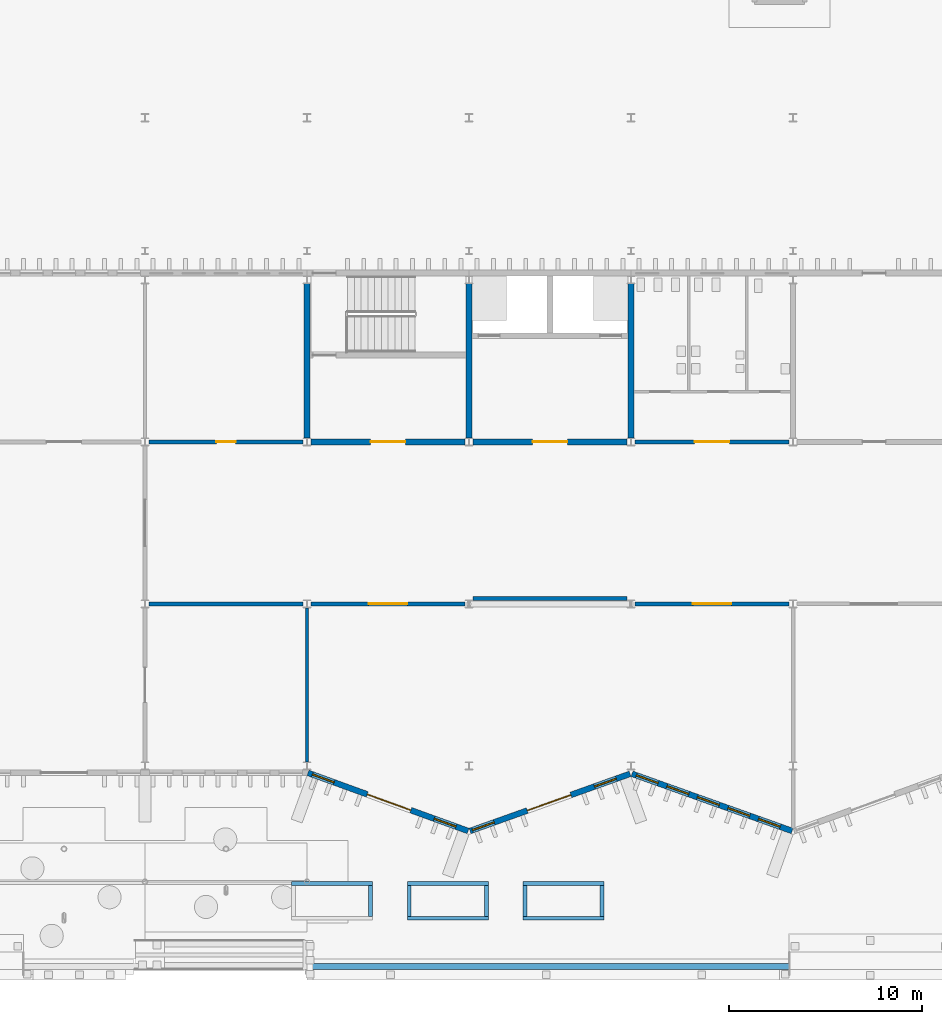
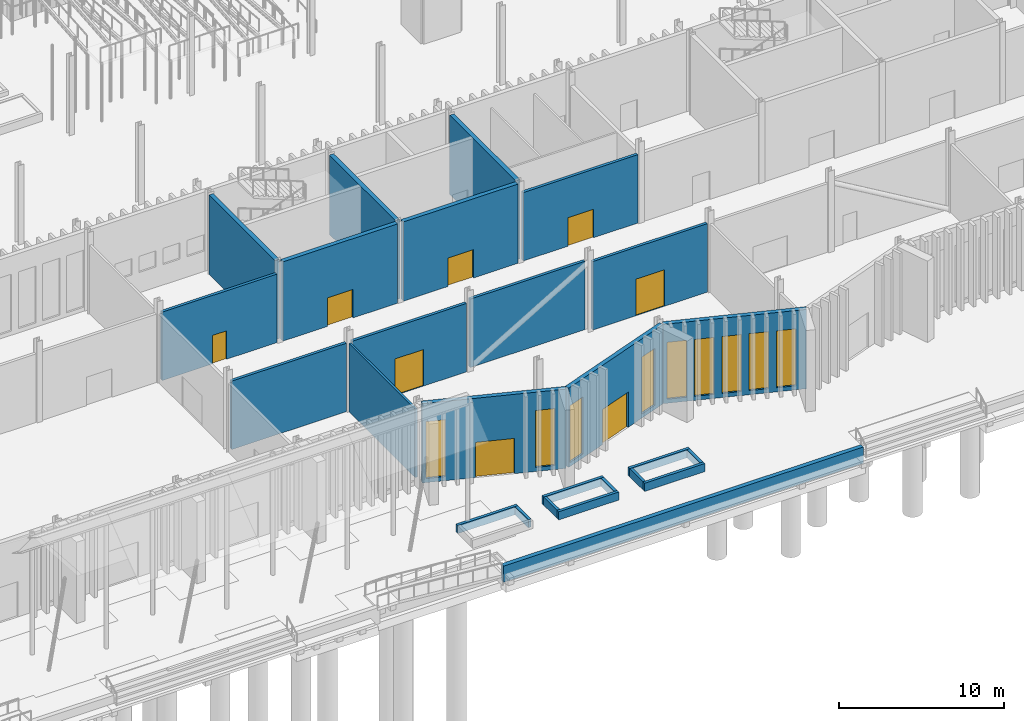
# One storey, part 58 of 108: 26 walls, 9 windows, 8 doors, 17 openings.
"""IFC4 building model written with IfcOpenShell, lengths in metres."""

import ifcopenshell
import ifcopenshell.guid

model = None  # the IFC model being written
_history = None  # IfcOwnerHistory: only IFC2X3 demands one
_inside = {}  # id of a spatial element -> (the spatial element, [elements in it])
_under = {}  # id of a project, library or spatial element -> (it, [spatial elements below it])
_declared = {}  # id of a project -> (the project, [libraries it declares])
_typed = {}  # id of a type object -> (the type object, [elements of that type])
_made_of = {}  # id of a material, layer set ... -> (it, [elements and type objects made of it])


def new_model(schema):
    """Start an empty IFC model of exactly this schema.

    Asked for "IFC4X3", IfcOpenShell would pick the latest addendum, in which some entities
    have other attributes; the version numbers below select the first issue.
    IFC2X3 requires an IfcOwnerHistory on every rooted entity: one is made here for all.
    """
    global model, _history
    if schema == "IFC4X3":
        model = ifcopenshell.file(schema_version=(4, 3, 0, 0))
    else:
        model = ifcopenshell.file(schema=schema)
    _inside.clear()
    _under.clear()
    _declared.clear()
    _typed.clear()
    _made_of.clear()
    _history = None
    if model.schema == "IFC2X3":
        org = make("IfcOrganization", Name="unknown")
        user = make(
            "IfcPersonAndOrganization",
            ThePerson=make("IfcPerson", FamilyName="unknown"),
            TheOrganization=org,
        )
        app = make(
            "IfcApplication",
            ApplicationDeveloper=org,
            Version="unknown",
            ApplicationFullName="unknown",
            ApplicationIdentifier="unknown",
        )
        _history = make(
            "IfcOwnerHistory",
            OwningUser=user,
            OwningApplication=app,
            ChangeAction="ADDED",
            CreationDate=0,
        )
    return model


def make(cls, **values):
    """One entity of the class cls with the attributes given. An attribute that is None is left unset."""
    return model.create_entity(
        cls, **{name: value for name, value in values.items() if value is not None}
    )


def rooted(cls, **values):
    """An entity with a GlobalId (a new one), such as an element, a storey or a relation."""
    return make(cls, GlobalId=ifcopenshell.guid.new(), OwnerHistory=_history, **values)


def si_unit(unit_type, name, prefix=None):
    """IfcSIUnit, for example si_unit("LENGTHUNIT", "METRE", prefix="MILLI")."""
    return make("IfcSIUnit", UnitType=unit_type, Prefix=prefix, Name=name)


def assignment(units):
    """IfcUnitAssignment: the units of a project."""
    return None if units is None else make("IfcUnitAssignment", Units=units)


def point(xyz):
    """IfcCartesianPoint."""
    return None if xyz is None else make("IfcCartesianPoint", Coordinates=xyz)


def direction(xyz):
    """IfcDirection."""
    return None if xyz is None else make("IfcDirection", DirectionRatios=xyz)


def frame(location, z_axis=None, x_axis=None):
    """IfcAxis2Placement3D, a coordinate frame: its origin and axes. An axis left out is left unset."""
    return make(
        "IfcAxis2Placement3D",
        Location=point(location),
        Axis=direction(z_axis),
        RefDirection=direction(x_axis),
    )


def frame_2d(location, x_axis=None):
    """IfcAxis2Placement2D, a coordinate frame in the plane: its origin and x axis."""
    return make(
        "IfcAxis2Placement2D", Location=point(location), RefDirection=direction(x_axis)
    )


def origin():
    """The frame at (0, 0, 0) with its axes left unset."""
    return frame((0.0, 0.0, 0.0))


def place(relative_to, where):
    """IfcLocalPlacement: puts the frame where relative to a parent placement (None: the world)."""
    return make(
        "IfcLocalPlacement", PlacementRelTo=relative_to, RelativePlacement=where
    )


def context(
    kind, dimensions, precision=None, world=None, true_north=None, identifier=None
):
    """IfcGeometricRepresentationContext, for example the 3D "Model" context."""
    return make(
        "IfcGeometricRepresentationContext",
        ContextIdentifier=identifier,
        ContextType=kind,
        CoordinateSpaceDimension=dimensions,
        Precision=precision,
        WorldCoordinateSystem=world,
        TrueNorth=true_north,
    )


def subcontext(parent, identifier, kind, view, scale=None):
    """IfcGeometricRepresentationSubContext, for example "Body" below "Model"."""
    return make(
        "IfcGeometricRepresentationSubContext",
        ContextIdentifier=identifier,
        ContextType=kind,
        ParentContext=parent,
        TargetScale=scale,
        TargetView=view,
    )


def project(units=None, contexts=None):
    """IfcProject with its units and contexts."""
    return rooted(
        "IfcProject",
        Name="project",
        RepresentationContexts=contexts,
        UnitsInContext=assignment(units),
    )


def spatial(cls, under=None, at=None, **own):
    """A site, building, storey or space (cls), placed at a placement, below another one or the project."""
    s = rooted(cls, ObjectPlacement=at, **own)
    if under is not None:
        _under.setdefault(under.id(), (under, []))[1].append(s)
    return s


def profile(cls, at=None, kind="AREA", **sizes):
    """A parametric profile (cls). Its sizes go by their IFC names, for example OverallWidth=200.0."""
    return make(cls, ProfileType=kind, Position=at, **sizes)


def rectangle(**sizes):
    """IfcRectangleProfileDef."""
    return profile("IfcRectangleProfileDef", **sizes)


def extrude(swept, where, along, depth):
    """IfcExtrudedAreaSolid: the profile swept, set in the frame where, extruded along a direction by depth."""
    return make(
        "IfcExtrudedAreaSolid",
        SweptArea=swept,
        Position=where,
        ExtrudedDirection=direction(along),
        Depth=depth,
    )


def shape(context_of_items, identifier, shape_type, items):
    """IfcShapeRepresentation: the items that make up one representation, for example the "Body"."""
    return make(
        "IfcShapeRepresentation",
        ContextOfItems=context_of_items,
        RepresentationIdentifier=identifier,
        RepresentationType=shape_type,
        Items=items,
    )


def material(Name=None, Category=None):
    """IfcMaterial."""
    return make("IfcMaterial", Name=Name, Category=Category)


def layer(
    of_material, thickness, ventilated=None, Name=None, Category=None, Priority=None
):
    """IfcMaterialLayer: one layer of a wall or slab, of a material (None: an air gap)."""
    return make(
        "IfcMaterialLayer",
        Material=of_material,
        LayerThickness=thickness,
        IsVentilated=ventilated,
        Name=Name,
        Category=Category,
        Priority=Priority,
    )


def layer_set(layers, Name=None):
    """IfcMaterialLayerSet."""
    return make("IfcMaterialLayerSet", MaterialLayers=layers, LayerSetName=Name)


def made_of(thing, what):
    """Note that an element or type object is made of a material, layer set ...; save() writes the relation."""
    if what is not None:
        _made_of.setdefault(what.id(), (what, []))[1].append(thing)
    return thing


def type_object(cls, material=None, **own):
    """A type object (cls), such as IfcWallType, which elements share."""
    return made_of(rooted(cls, **own), material)


def element(
    cls,
    number,
    at=None,
    inside=None,
    cuts=None,
    type_object=None,
    material=None,
    context=None,
    identifier="Body",
    shape_type=None,
    held_by="IfcProductDefinitionShape",
    body=None,
    shapes=None,
    **own,
):
    """One element of the class cls, such as IfcWall. Its Tag is "e" and its number.

    at: its placement. inside: the storey or other place that contains it. cuts: it is an
    opening in that element (IfcRelVoidsElement). A single representation is given by context,
    identifier, shape_type and body (its items); several are given by shapes. held_by: the class
    of the entity that holds the representations. save() writes the other relations.
    """
    e = rooted(cls, Tag="e%d" % number, ObjectPlacement=at, **own)
    if body is not None:
        shapes = [shape(context, identifier, shape_type, body)]
    if shapes is not None:
        e.Representation = make(held_by, Representations=shapes)
    if inside is not None:
        _inside.setdefault(inside.id(), (inside, []))[1].append(e)
    if cuts is not None:
        rooted(
            "IfcRelVoidsElement", RelatingBuildingElement=cuts, RelatedOpeningElement=e
        )
    if type_object is not None:
        _typed.setdefault(type_object.id(), (type_object, []))[1].append(e)
    return made_of(e, material)


def fill(opening, filler):
    """IfcRelFillsElement: the door or window that sits in an opening."""
    return rooted(
        "IfcRelFillsElement",
        RelatingOpeningElement=opening,
        RelatedBuildingElement=filler,
    )


def aggregate(whole, parts):
    """IfcRelAggregates: a whole, such as a stair, and the parts it consists of."""
    return rooted("IfcRelAggregates", RelatingObject=whole, RelatedObjects=parts)


def save(model, path):
    """Write the relations noted so far, then the file.

    IfcRelAggregates (storeys below a building ...), IfcRelContainedInSpatialStructure (elements
    in a storey), IfcRelDefinesByType, IfcRelAssociatesMaterial and IfcRelDeclares: one each for
    every whole, place, type object, material and project.
    """
    for whole, parts in _under.values():
        aggregate(whole, parts)
    for where, things in _inside.values():
        rooted(
            "IfcRelContainedInSpatialStructure",
            RelatedElements=things,
            RelatingStructure=where,
        )
    for kind, things in _typed.values():
        rooted("IfcRelDefinesByType", RelatedObjects=things, RelatingType=kind)
    for what, things in _made_of.values():
        rooted("IfcRelAssociatesMaterial", RelatedObjects=things, RelatingMaterial=what)
    for by, libraries in _declared.values():
        rooted("IfcRelDeclares", RelatingContext=by, RelatedDefinitions=libraries)
    model.write(path)


model = new_model("IFC4")

# Units and contexts
model_context = context("Model", 3, precision=1e-05, world=origin(), true_north=direction((0.0, 1.0)))
body_context = subcontext(model_context, "Body", "Model", "MODEL_VIEW")
ifc_project = project(units=[si_unit("LENGTHUNIT", "METRE"), si_unit("AREAUNIT", "SQUARE_METRE"), si_unit("VOLUMEUNIT", "CUBIC_METRE"), si_unit("PLANEANGLEUNIT", "RADIAN"), si_unit("MASSUNIT", "GRAM", prefix="KILO")], contexts=[model_context])

# Site, building, storey
site_placement = place(None, origin())
site = spatial("IfcSite", under=ifc_project, at=site_placement, CompositionType="ELEMENT")
building_placement = place(site_placement, origin())
building = spatial("IfcBuilding", under=site, at=building_placement, Name="Cresset Court Congress Hotel", CompositionType="ELEMENT")
storey_placement = place(building_placement, origin())
storey = spatial("IfcBuildingStorey", under=building, at=storey_placement, Name="L00", CompositionType="ELEMENT", Elevation=0.0)

# Walls
ifc_material_1 = material(Name="Concrete C50", Category="concrete")
ifc_layer_1 = layer(ifc_material_1, 0.300048828125)
ifc_layer_set_1 = layer_set([ifc_layer_1], Name="Core wall 300 Concrete C50")
wall_type_1 = type_object("IfcWallType", Name="Core wall 300 Concrete C50", PredefinedType="SHEAR", material=ifc_layer_set_1)
for number, where, z_axis, x_axis, name in (
    (1, (109.199951171875, 17.0, 0.0), (0.0, 0.0, 1.0), (0.0, 1.0, 0.0), "Core wall LC-B2"),
    (2, (117.60009765625, 17.0, 0.0), (0.0, 0.0, 1.0), (0.0, 1.0, 0.0), "Core wall LC-B2"),
):
    element("IfcWall", number, at=place(storey_placement, frame(where, z_axis=z_axis, x_axis=x_axis)), inside=storey, type_object=wall_type_1, Name=name, PredefinedType="SHEAR", context=body_context, shape_type="SweptSolid", body=[
        extrude(rectangle(XDim=8.0, YDim=0.300048828125, at=frame_2d((4.0, 0.0))), origin(), (0.0, 0.0, 1.0), 5.85009765625),
    ])

# Wall, opening, door
wall_1_placement = place(storey_placement, frame((109.39990234375, 16.800048828125, 0.0), z_axis=(0.0, 0.0, 1.0), x_axis=(1.0, 0.0, 0.0)))
wall_1 = element("IfcWall", 3, at=wall_1_placement, inside=storey, type_object=wall_type_1, Name="Core wall LC-B2", PredefinedType="SHEAR", context=body_context, shape_type="SweptSolid", body=[
    extrude(rectangle(XDim=8.0, YDim=0.300048828125, at=frame_2d((4.0, 0.0))), origin(), (0.0, 0.0, 1.0), 5.85009765625),
])
opening_1_placement = place(wall_1_placement, frame((3.10009765625, 0.0, 0.0)))
opening_1 = element("IfcOpeningElement", 4, at=opening_1_placement, cuts=wall_1, Name="Opening DB-00-49", PredefinedType="OPENING", context=body_context, shape_type="SweptSolid", body=[
    extrude(rectangle(XDim=1.800048828125, YDim=2.10009765625, at=frame_2d((0.89990234375, 1.050048828125))), frame((0.0, 0.159912109375, 0.0), z_axis=(0.0, -1.0, 0.0), x_axis=(1.0, 0.0, 0.0)), (0.0, 0.0, 1.0), 0.320068359375),
])
ifc_material_2 = material(Name="Timber and steel frame", Category="steel")
door_type_1 = type_object("IfcDoorType", Name="Lobby fire door FD60 double 1800x2100", OperationType="DOUBLE_DOOR_SINGLE_SWING", PredefinedType="DOOR", material=ifc_material_2)
door_1_placement = place(opening_1_placement, origin())
door_1 = element("IfcDoor", 5, at=door_1_placement, inside=storey, type_object=door_type_1, Name="Lift lobby door LC-B2", OperationType="DOUBLE_DOOR_SINGLE_SWING", OverallHeight=2.10009765625, OverallWidth=1.800048828125, PredefinedType="DOOR", context=body_context, shape_type="SweptSolid", body=[
    extrude(rectangle(XDim=1.800048828125, YDim=2.10009765625, at=frame_2d((0.89990234375, 1.050048828125))), frame((0.0, 0.02490234375, 0.0), z_axis=(0.0, -1.0, 0.0), x_axis=(1.0, 0.0, 0.0)), (0.0, 0.0, 1.0), 0.050048828125),
])
fill(opening_1, door_1)

# Wall
wall_2_placement = place(storey_placement, frame((100.800048828125, 17.0, 0.0), z_axis=(0.0, 0.0, 1.0), x_axis=(0.0, 1.0, 0.0)))
element("IfcWall", 6, at=wall_2_placement, inside=storey, type_object=wall_type_1, Name="Core wall ST-B4", PredefinedType="SHEAR", context=body_context, shape_type="SweptSolid", body=[
    extrude(rectangle(XDim=8.0, YDim=0.300048828125, at=frame_2d((4.0, 0.0))), origin(), (0.0, 0.0, 1.0), 5.85009765625),
])

# Wall, opening, door
wall_3_placement = place(storey_placement, frame((101.0, 16.800048828125, 0.0), z_axis=(0.0, 0.0, 1.0), x_axis=(1.0, 0.0, 0.0)))
wall_3 = element("IfcWall", 7, at=wall_3_placement, inside=storey, type_object=wall_type_1, Name="Core wall ST-B4", PredefinedType="SHEAR", context=body_context, shape_type="SweptSolid", body=[
    extrude(rectangle(XDim=8.0, YDim=0.300048828125, at=frame_2d((4.0, 0.0))), origin(), (0.0, 0.0, 1.0), 5.85009765625),
])
opening_2_placement = place(wall_3_placement, frame((3.10009765625, 0.0, 0.0)))
opening_2 = element("IfcOpeningElement", 8, at=opening_2_placement, cuts=wall_3, Name="Opening DB-00-62", PredefinedType="OPENING", context=body_context, shape_type="SweptSolid", body=[
    extrude(rectangle(XDim=1.800048828125, YDim=2.10009765625, at=frame_2d((0.89990234375, 1.050048828125))), frame((0.0, 0.159912109375, 0.0), z_axis=(0.0, -1.0, 0.0), x_axis=(1.0, 0.0, 0.0)), (0.0, 0.0, 1.0), 0.320068359375),
])
door_2_placement = place(opening_2_placement, origin())
door_2 = element("IfcDoor", 9, at=door_2_placement, inside=storey, type_object=door_type_1, Name="Stair lobby door ST-B4", OperationType="DOUBLE_DOOR_SINGLE_SWING", OverallHeight=2.10009765625, OverallWidth=1.800048828125, PredefinedType="DOOR", context=body_context, shape_type="SweptSolid", body=[
    extrude(rectangle(XDim=1.800048828125, YDim=2.10009765625, at=frame_2d((0.89990234375, 1.050048828125))), frame((0.0, 0.02490234375, 0.0), z_axis=(0.0, -1.0, 0.0), x_axis=(1.0, 0.0, 0.0)), (0.0, 0.0, 1.0), 0.050048828125),
])
fill(opening_2, door_2)

# Wall, openings, door, windows
ifc_material_3 = material(Name="Concrete C40", Category="concrete")
ifc_layer_2 = layer(ifc_material_3, 0.300048828125)
ifc_layer_set_2 = layer_set([ifc_layer_2], Name="External wall 300 Concrete C40")
wall_type_2 = type_object("IfcWallType", Name="External wall 300 Concrete C40", PredefinedType="SOLIDWALL", material=ifc_layer_set_2)
wall_4_placement = place(storey_placement, frame((100.851318359375, -0.35888671875, 0.0), z_axis=(0.0, 0.0, 1.0), x_axis=(0.939953187971, -0.341303390584, 0.0)))
wall_4 = element("IfcWall", 10, at=wall_4_placement, inside=storey, type_object=wall_type_2, Name="External wall", PredefinedType="SOLIDWALL", context=body_context, shape_type="SweptSolid", body=[
    extrude(rectangle(XDim=8.828369140625, YDim=0.300048828125, at=frame_2d((4.4140625, 0.0))), origin(), (0.0, 0.0, 1.0), 5.85009765625),
])
opening_3_placement = place(wall_4_placement, frame((3.268310546875, 0.0, 0.0)))
opening_3 = element("IfcOpeningElement", 11, at=opening_3_placement, cuts=wall_4, Name="Opening DB-00-06", PredefinedType="OPENING", context=body_context, shape_type="SweptSolid", body=[
    extrude(rectangle(XDim=2.39990234375, YDim=2.60009765625, at=frame_2d((1.199951171875, 1.300048828125))), frame((0.0, 0.159912109375, 0.0), z_axis=(0.0, -1.0, 0.0), x_axis=(1.0, 0.0, 0.0)), (0.0, 0.0, 1.0), 0.320068359375),
])
opening_4_placement = place(wall_4_placement, frame((0.239990234375, 0.0, 0.300048828125)))
opening_4 = element("IfcOpeningElement", 12, at=opening_4_placement, cuts=wall_4, Name="Opening NB-00-54", PredefinedType="OPENING", context=body_context, shape_type="SweptSolid", body=[
    extrude(rectangle(XDim=1.199951171875, YDim=4.199951171875, at=frame_2d((0.60009765625, 2.10009765625))), frame((0.0, 0.159912109375, 0.0), z_axis=(0.0, -1.0, 0.0), x_axis=(1.0, 0.0, 0.0)), (0.0, 0.0, 1.0), 0.320068359375),
])
opening_5_placement = place(wall_4_placement, frame((6.9599609375, 0.0, 0.300048828125)))
opening_5 = element("IfcOpeningElement", 13, at=opening_5_placement, cuts=wall_4, Name="Opening NB-00-55", PredefinedType="OPENING", context=body_context, shape_type="SweptSolid", body=[
    extrude(rectangle(XDim=1.199951171875, YDim=4.199951171875, at=frame_2d((0.60009765625, 2.10009765625))), frame((0.0, 0.159912109375, 0.0), z_axis=(0.0, -1.0, 0.0), x_axis=(1.0, 0.0, 0.0)), (0.0, 0.0, 1.0), 0.320068359375),
])
ifc_material_4 = material(Name="Aluminium frame with toughened glass", Category="aluminium")
door_type_2 = type_object("IfcDoorType", Name="Entrance door double glazed 2400x2600", OperationType="DOUBLE_DOOR_SINGLE_SWING", PredefinedType="DOOR", material=ifc_material_4)
door_3_placement = place(opening_3_placement, origin())
door_3 = element("IfcDoor", 14, at=door_3_placement, inside=storey, type_object=door_type_2, Name="Exhibition side entrance", OperationType="DOUBLE_DOOR_SINGLE_SWING", OverallHeight=2.60009765625, OverallWidth=2.39990234375, PredefinedType="DOOR", context=body_context, shape_type="SweptSolid", body=[
    extrude(rectangle(XDim=2.39990234375, YDim=2.60009765625, at=frame_2d((1.199951171875, 1.300048828125))), frame((0.0, 0.02490234375, 0.0), z_axis=(0.0, -1.0, 0.0), x_axis=(1.0, 0.0, 0.0)), (0.0, 0.0, 1.0), 0.050048828125),
])
fill(opening_3, door_3)
ifc_material_5 = material(Name="Aluminium frame with double glazing", Category="aluminium")
window_type = type_object("IfcWindowType", Name="Window 1200x4200", PartitioningType="TRIPLE_PANEL_VERTICAL", PredefinedType="WINDOW", material=ifc_material_5)
window_1_placement = place(opening_4_placement, origin())
window_1 = element("IfcWindow", 15, at=window_1_placement, inside=storey, type_object=window_type, Name="Window NB-00-54", OverallHeight=4.199951171875, OverallWidth=1.199951171875, PartitioningType="TRIPLE_PANEL_VERTICAL", PredefinedType="WINDOW", context=body_context, shape_type="SweptSolid", body=[
    extrude(rectangle(XDim=1.199951171875, YDim=4.199951171875, at=frame_2d((0.60009765625, 2.10009765625))), frame((0.0, 0.030029296875, 0.0), z_axis=(0.0, -1.0, 0.0), x_axis=(1.0, 0.0, 0.0)), (0.0, 0.0, 1.0), 0.06005859375),
])
fill(opening_4, window_1)
window_2_placement = place(opening_5_placement, origin())
window_2 = element("IfcWindow", 16, at=window_2_placement, inside=storey, type_object=window_type, Name="Window NB-00-55", OverallHeight=4.199951171875, OverallWidth=1.199951171875, PartitioningType="TRIPLE_PANEL_VERTICAL", PredefinedType="WINDOW", context=body_context, shape_type="SweptSolid", body=[
    extrude(rectangle(XDim=1.199951171875, YDim=4.199951171875, at=frame_2d((0.60009765625, 2.10009765625))), frame((0.0, 0.030029296875, 0.0), z_axis=(0.0, -1.0, 0.0), x_axis=(1.0, 0.0, 0.0)), (0.0, 0.0, 1.0), 0.06005859375),
])
fill(opening_5, window_2)

wall_5_placement = place(storey_placement, frame((109.251220703125, -3.372314453125, 0.0), z_axis=(0.0, 0.0, 1.0), x_axis=(0.941744418946, 0.336329376334, 0.0)))
wall_5 = element("IfcWall", 17, at=wall_5_placement, inside=storey, type_object=wall_type_2, Name="External wall", PredefinedType="SOLIDWALL", context=body_context, shape_type="SweptSolid", body=[
    extrude(rectangle(XDim=8.811767578125, YDim=0.300048828125, at=frame_2d((4.40576171875, 0.0))), origin(), (0.0, 0.0, 1.0), 5.85009765625),
])
opening_6_placement = place(wall_5_placement, frame((3.15185546875, 0.0, 0.0)))
opening_6 = element("IfcOpeningElement", 18, at=opening_6_placement, cuts=wall_5, Name="Opening DB-00-07", PredefinedType="OPENING", context=body_context, shape_type="SweptSolid", body=[
    extrude(rectangle(XDim=2.39990234375, YDim=2.60009765625, at=frame_2d((1.199951171875, 1.300048828125))), frame((0.0, 0.159912109375, 0.0), z_axis=(0.0, -1.0, 0.0), x_axis=(1.0, 0.0, 0.0)), (0.0, 0.0, 1.0), 0.320068359375),
])
opening_7_placement = place(wall_5_placement, frame((0.132080078125, 0.0, 0.300048828125)))
opening_7 = element("IfcOpeningElement", 19, at=opening_7_placement, cuts=wall_5, Name="Opening NB-00-56", PredefinedType="OPENING", context=body_context, shape_type="SweptSolid", body=[
    extrude(rectangle(XDim=1.199951171875, YDim=4.199951171875, at=frame_2d((0.60009765625, 2.10009765625))), frame((0.0, 0.159912109375, 0.0), z_axis=(0.0, -1.0, 0.0), x_axis=(1.0, 0.0, 0.0)), (0.0, 0.0, 1.0), 0.320068359375),
])
opening_8_placement = place(wall_5_placement, frame((6.85205078125, 0.0, 0.300048828125)))
opening_8 = element("IfcOpeningElement", 20, at=opening_8_placement, cuts=wall_5, Name="Opening NB-00-57", PredefinedType="OPENING", context=body_context, shape_type="SweptSolid", body=[
    extrude(rectangle(XDim=1.199951171875, YDim=4.199951171875, at=frame_2d((0.60009765625, 2.10009765625))), frame((0.0, 0.159912109375, 0.0), z_axis=(0.0, -1.0, 0.0), x_axis=(1.0, 0.0, 0.0)), (0.0, 0.0, 1.0), 0.320068359375),
])
door_4_placement = place(opening_6_placement, origin())
door_4 = element("IfcDoor", 21, at=door_4_placement, inside=storey, type_object=door_type_2, Name="Exhibition entrance", OperationType="DOUBLE_DOOR_SINGLE_SWING", OverallHeight=2.60009765625, OverallWidth=2.39990234375, PredefinedType="DOOR", context=body_context, shape_type="SweptSolid", body=[
    extrude(rectangle(XDim=2.39990234375, YDim=2.60009765625, at=frame_2d((1.199951171875, 1.300048828125))), frame((0.0, 0.02490234375, 0.0), z_axis=(0.0, -1.0, 0.0), x_axis=(1.0, 0.0, 0.0)), (0.0, 0.0, 1.0), 0.050048828125),
])
fill(opening_6, door_4)
window_3_placement = place(opening_7_placement, origin())
window_3 = element("IfcWindow", 22, at=window_3_placement, inside=storey, type_object=window_type, Name="Window NB-00-56", OverallHeight=4.199951171875, OverallWidth=1.199951171875, PartitioningType="TRIPLE_PANEL_VERTICAL", PredefinedType="WINDOW", context=body_context, shape_type="SweptSolid", body=[
    extrude(rectangle(XDim=1.199951171875, YDim=4.199951171875, at=frame_2d((0.60009765625, 2.10009765625))), frame((0.0, 0.030029296875, 0.0), z_axis=(0.0, -1.0, 0.0), x_axis=(1.0, 0.0, 0.0)), (0.0, 0.0, 1.0), 0.06005859375),
])
fill(opening_7, window_3)
window_4_placement = place(opening_8_placement, origin())
window_4 = element("IfcWindow", 23, at=window_4_placement, inside=storey, type_object=window_type, Name="Window NB-00-57", OverallHeight=4.199951171875, OverallWidth=1.199951171875, PartitioningType="TRIPLE_PANEL_VERTICAL", PredefinedType="WINDOW", context=body_context, shape_type="SweptSolid", body=[
    extrude(rectangle(XDim=1.199951171875, YDim=4.199951171875, at=frame_2d((0.60009765625, 2.10009765625))), frame((0.0, 0.030029296875, 0.0), z_axis=(0.0, -1.0, 0.0), x_axis=(1.0, 0.0, 0.0)), (0.0, 0.0, 1.0), 0.06005859375),
])
fill(opening_8, window_4)

# Wall, openings, windows
wall_6_placement = place(storey_placement, frame((117.650390625, -0.40869140625, 0.0), z_axis=(0.0, 0.0, 1.0), x_axis=(0.941744418946, -0.336329376334, 0.0)))
wall_6 = element("IfcWall", 24, at=wall_6_placement, inside=storey, type_object=wall_type_2, Name="External wall", PredefinedType="SOLIDWALL", context=body_context, shape_type="SweptSolid", body=[
    extrude(rectangle(XDim=8.811767578125, YDim=0.300048828125, at=frame_2d((4.40576171875, 0.0))), origin(), (0.0, 0.0, 1.0), 5.85009765625),
])
opening_9_placement = place(wall_6_placement, frame((0.239990234375, 0.0, 0.300048828125)))
opening_9 = element("IfcOpeningElement", 25, at=opening_9_placement, cuts=wall_6, Name="Opening NB-00-58", PredefinedType="OPENING", context=body_context, shape_type="SweptSolid", body=[
    extrude(rectangle(XDim=1.199951171875, YDim=4.199951171875, at=frame_2d((0.60009765625, 2.10009765625))), frame((0.0, 0.159912109375, 0.0), z_axis=(0.0, -1.0, 0.0), x_axis=(1.0, 0.0, 0.0)), (0.0, 0.0, 1.0), 0.320068359375),
])
opening_10_placement = place(wall_6_placement, frame((1.919921875, 0.0, 0.300048828125)))
opening_10 = element("IfcOpeningElement", 26, at=opening_10_placement, cuts=wall_6, Name="Opening NB-00-59", PredefinedType="OPENING", context=body_context, shape_type="SweptSolid", body=[
    extrude(rectangle(XDim=1.199951171875, YDim=4.199951171875, at=frame_2d((0.60009765625, 2.10009765625))), frame((0.0, 0.159912109375, 0.0), z_axis=(0.0, -1.0, 0.0), x_axis=(1.0, 0.0, 0.0)), (0.0, 0.0, 1.0), 0.320068359375),
])
opening_11_placement = place(wall_6_placement, frame((3.60009765625, 0.0, 0.300048828125)))
opening_11 = element("IfcOpeningElement", 27, at=opening_11_placement, cuts=wall_6, Name="Opening NB-00-60", PredefinedType="OPENING", context=body_context, shape_type="SweptSolid", body=[
    extrude(rectangle(XDim=1.199951171875, YDim=4.199951171875, at=frame_2d((0.60009765625, 2.10009765625))), frame((0.0, 0.159912109375, 0.0), z_axis=(0.0, -1.0, 0.0), x_axis=(1.0, 0.0, 0.0)), (0.0, 0.0, 1.0), 0.320068359375),
])
opening_12_placement = place(wall_6_placement, frame((5.280029296875, 0.0, 0.300048828125)))
opening_12 = element("IfcOpeningElement", 28, at=opening_12_placement, cuts=wall_6, Name="Opening NB-00-61", PredefinedType="OPENING", context=body_context, shape_type="SweptSolid", body=[
    extrude(rectangle(XDim=1.199951171875, YDim=4.199951171875, at=frame_2d((0.60009765625, 2.10009765625))), frame((0.0, 0.159912109375, 0.0), z_axis=(0.0, -1.0, 0.0), x_axis=(1.0, 0.0, 0.0)), (0.0, 0.0, 1.0), 0.320068359375),
])
opening_13_placement = place(wall_6_placement, frame((6.9599609375, 0.0, 0.300048828125)))
opening_13 = element("IfcOpeningElement", 29, at=opening_13_placement, cuts=wall_6, Name="Opening NB-00-62", PredefinedType="OPENING", context=body_context, shape_type="SweptSolid", body=[
    extrude(rectangle(XDim=1.199951171875, YDim=4.199951171875, at=frame_2d((0.60009765625, 2.10009765625))), frame((0.0, 0.159912109375, 0.0), z_axis=(0.0, -1.0, 0.0), x_axis=(1.0, 0.0, 0.0)), (0.0, 0.0, 1.0), 0.320068359375),
])
window_5_placement = place(opening_9_placement, origin())
window_5 = element("IfcWindow", 30, at=window_5_placement, inside=storey, type_object=window_type, Name="Window NB-00-58", OverallHeight=4.199951171875, OverallWidth=1.199951171875, PartitioningType="TRIPLE_PANEL_VERTICAL", PredefinedType="WINDOW", context=body_context, shape_type="SweptSolid", body=[
    extrude(rectangle(XDim=1.199951171875, YDim=4.199951171875, at=frame_2d((0.60009765625, 2.10009765625))), frame((0.0, 0.030029296875, 0.0), z_axis=(0.0, -1.0, 0.0), x_axis=(1.0, 0.0, 0.0)), (0.0, 0.0, 1.0), 0.06005859375),
])
fill(opening_9, window_5)
window_6_placement = place(opening_10_placement, origin())
window_6 = element("IfcWindow", 31, at=window_6_placement, inside=storey, type_object=window_type, Name="Window NB-00-59", OverallHeight=4.199951171875, OverallWidth=1.199951171875, PartitioningType="TRIPLE_PANEL_VERTICAL", PredefinedType="WINDOW", context=body_context, shape_type="SweptSolid", body=[
    extrude(rectangle(XDim=1.199951171875, YDim=4.199951171875, at=frame_2d((0.60009765625, 2.10009765625))), frame((0.0, 0.030029296875, 0.0), z_axis=(0.0, -1.0, 0.0), x_axis=(1.0, 0.0, 0.0)), (0.0, 0.0, 1.0), 0.06005859375),
])
fill(opening_10, window_6)
window_7_placement = place(opening_11_placement, origin())
window_7 = element("IfcWindow", 32, at=window_7_placement, inside=storey, type_object=window_type, Name="Window NB-00-60", OverallHeight=4.199951171875, OverallWidth=1.199951171875, PartitioningType="TRIPLE_PANEL_VERTICAL", PredefinedType="WINDOW", context=body_context, shape_type="SweptSolid", body=[
    extrude(rectangle(XDim=1.199951171875, YDim=4.199951171875, at=frame_2d((0.60009765625, 2.10009765625))), frame((0.0, 0.030029296875, 0.0), z_axis=(0.0, -1.0, 0.0), x_axis=(1.0, 0.0, 0.0)), (0.0, 0.0, 1.0), 0.06005859375),
])
fill(opening_11, window_7)
window_8_placement = place(opening_12_placement, origin())
window_8 = element("IfcWindow", 33, at=window_8_placement, inside=storey, type_object=window_type, Name="Window NB-00-61", OverallHeight=4.199951171875, OverallWidth=1.199951171875, PartitioningType="TRIPLE_PANEL_VERTICAL", PredefinedType="WINDOW", context=body_context, shape_type="SweptSolid", body=[
    extrude(rectangle(XDim=1.199951171875, YDim=4.199951171875, at=frame_2d((0.60009765625, 2.10009765625))), frame((0.0, 0.030029296875, 0.0), z_axis=(0.0, -1.0, 0.0), x_axis=(1.0, 0.0, 0.0)), (0.0, 0.0, 1.0), 0.06005859375),
])
fill(opening_12, window_8)
window_9_placement = place(opening_13_placement, origin())
window_9 = element("IfcWindow", 34, at=window_9_placement, inside=storey, type_object=window_type, Name="Window NB-00-62", OverallHeight=4.199951171875, OverallWidth=1.199951171875, PartitioningType="TRIPLE_PANEL_VERTICAL", PredefinedType="WINDOW", context=body_context, shape_type="SweptSolid", body=[
    extrude(rectangle(XDim=1.199951171875, YDim=4.199951171875, at=frame_2d((0.60009765625, 2.10009765625))), frame((0.0, 0.030029296875, 0.0), z_axis=(0.0, -1.0, 0.0), x_axis=(1.0, 0.0, 0.0)), (0.0, 0.0, 1.0), 0.06005859375),
])
fill(opening_13, window_9)

# Wall
ifc_material_6 = material(Name="Gypsum board on steel studs", Category="steel")
ifc_layer_3 = layer(ifc_material_6, 0.199951171875)
ifc_layer_set_3 = layer_set([ifc_layer_3], Name="Foyer wall 200")
wall_type_3 = type_object("IfcWallType", Name="Foyer wall 200", PredefinedType="PARTITIONING", material=ifc_layer_set_3)
wall_7_placement = place(storey_placement, frame((92.60009765625, 8.39990234375, 0.0), z_axis=(0.0, 0.0, 1.0), x_axis=(1.0, 0.0, 0.0)))
element("IfcWall", 35, at=wall_7_placement, inside=storey, type_object=wall_type_3, Name="Foyer wall", PredefinedType="PARTITIONING", context=body_context, shape_type="SweptSolid", body=[
    extrude(rectangle(XDim=8.0, YDim=0.199951171875, at=frame_2d((4.0, 0.0))), origin(), (0.0, 0.0, 1.0), 5.050048828125),
])

# Wall, opening, door
wall_8_placement = place(storey_placement, frame((101.0, 8.39990234375, 0.0), z_axis=(0.0, 0.0, 1.0), x_axis=(1.0, 0.0, 0.0)))
wall_8 = element("IfcWall", 36, at=wall_8_placement, inside=storey, type_object=wall_type_3, Name="Foyer wall", PredefinedType="PARTITIONING", context=body_context, shape_type="SweptSolid", body=[
    extrude(rectangle(XDim=8.0, YDim=0.199951171875, at=frame_2d((4.0, 0.0))), origin(), (0.0, 0.0, 1.0), 5.050048828125),
])
opening_14_placement = place(wall_8_placement, frame((3.0, 0.0, 0.0)))
opening_14 = element("IfcOpeningElement", 37, at=opening_14_placement, cuts=wall_8, Name="Opening DB-00-21", PredefinedType="OPENING", context=body_context, shape_type="SweptSolid", body=[
    extrude(rectangle(XDim=2.0, YDim=2.699951171875, at=frame_2d((1.0, 1.35009765625))), frame((0.0, 0.10986328125, 0.0), z_axis=(0.0, -1.0, 0.0), x_axis=(1.0, 0.0, 0.0)), (0.0, 0.0, 1.0), 0.219970703125),
])
ifc_material_7 = material(Name="Timber and steel frame", Category="steel")
door_type_3 = type_object("IfcDoorType", Name="Exhibition double door FD30 2000x2700", OperationType="DOUBLE_DOOR_SINGLE_SWING", PredefinedType="DOOR", material=ifc_material_7)
door_5_placement = place(opening_14_placement, origin())
door_5 = element("IfcDoor", 38, at=door_5_placement, inside=storey, type_object=door_type_3, Name="Exhibition Foyer door", OperationType="DOUBLE_DOOR_SINGLE_SWING", OverallHeight=2.699951171875, OverallWidth=2.0, PredefinedType="DOOR", context=body_context, shape_type="SweptSolid", body=[
    extrude(rectangle(XDim=2.0, YDim=2.699951171875, at=frame_2d((1.0, 1.35009765625))), frame((0.0, 0.02490234375, 0.0), z_axis=(0.0, -1.0, 0.0), x_axis=(1.0, 0.0, 0.0)), (0.0, 0.0, 1.0), 0.050048828125),
])
fill(opening_14, door_5)

# Wall
wall_9_placement = place(storey_placement, frame((109.39990234375, 8.672607421875, 0.0), z_axis=(0.0, 0.0, 1.0), x_axis=(1.0, 0.0, 0.0)))
element("IfcWall", 39, at=wall_9_placement, inside=storey, type_object=wall_type_3, Name="Foyer wall", PredefinedType="PARTITIONING", context=body_context, shape_type="SweptSolid", body=[
    extrude(rectangle(XDim=8.0, YDim=0.199951171875, at=frame_2d((4.0, 0.0))), origin(), (0.0, 0.0, 1.0), 5.050048828125),
])

# Wall, opening, door
wall_10_placement = place(storey_placement, frame((117.800048828125, 8.39990234375, 0.0), z_axis=(0.0, 0.0, 1.0), x_axis=(1.0, 0.0, 0.0)))
wall_10 = element("IfcWall", 40, at=wall_10_placement, inside=storey, type_object=wall_type_3, Name="Foyer wall", PredefinedType="PARTITIONING", context=body_context, shape_type="SweptSolid", body=[
    extrude(rectangle(XDim=8.0, YDim=0.199951171875, at=frame_2d((4.0, 0.0))), origin(), (0.0, 0.0, 1.0), 5.050048828125),
])
opening_15_placement = place(wall_10_placement, frame((3.0, 0.0, 0.0)))
opening_15 = element("IfcOpeningElement", 41, at=opening_15_placement, cuts=wall_10, Name="Opening DB-00-22", PredefinedType="OPENING", context=body_context, shape_type="SweptSolid", body=[
    extrude(rectangle(XDim=2.0, YDim=2.699951171875, at=frame_2d((1.0, 1.35009765625))), frame((0.0, 0.10986328125, 0.0), z_axis=(0.0, -1.0, 0.0), x_axis=(1.0, 0.0, 0.0)), (0.0, 0.0, 1.0), 0.219970703125),
])
door_6_placement = place(opening_15_placement, origin())
door_6 = element("IfcDoor", 42, at=door_6_placement, inside=storey, type_object=door_type_3, Name="Exhibition Foyer door", OperationType="DOUBLE_DOOR_SINGLE_SWING", OverallHeight=2.699951171875, OverallWidth=2.0, PredefinedType="DOOR", context=body_context, shape_type="SweptSolid", body=[
    extrude(rectangle(XDim=2.0, YDim=2.699951171875, at=frame_2d((1.0, 1.35009765625))), frame((0.0, 0.02490234375, 0.0), z_axis=(0.0, -1.0, 0.0), x_axis=(1.0, 0.0, 0.0)), (0.0, 0.0, 1.0), 0.050048828125),
])
fill(opening_15, door_6)

wall_11_placement = place(storey_placement, frame((92.60009765625, 16.800048828125, 0.0), z_axis=(0.0, 0.0, 1.0), x_axis=(1.0, 0.0, 0.0)))
wall_11 = element("IfcWall", 43, at=wall_11_placement, inside=storey, type_object=wall_type_3, Name="Foyer wall", PredefinedType="PARTITIONING", context=body_context, shape_type="SweptSolid", body=[
    extrude(rectangle(XDim=8.0, YDim=0.199951171875, at=frame_2d((4.0, 0.0))), origin(), (0.0, 0.0, 1.0), 5.050048828125),
])
opening_16_placement = place(wall_11_placement, frame((3.5, 0.0, 0.0)))
opening_16 = element("IfcOpeningElement", 44, at=opening_16_placement, cuts=wall_11, Name="Opening DB-00-33", PredefinedType="OPENING", context=body_context, shape_type="SweptSolid", body=[
    extrude(rectangle(XDim=1.0, YDim=2.10009765625, at=frame_2d((0.5, 1.050048828125))), frame((0.0, 0.10986328125, 0.0), z_axis=(0.0, -1.0, 0.0), x_axis=(1.0, 0.0, 0.0)), (0.0, 0.0, 1.0), 0.219970703125),
])
ifc_material_8 = material(Name="Timber and steel frame", Category="steel")
door_type_4 = type_object("IfcDoorType", Name="Fire door FD30 single 1000x2100", OperationType="SINGLE_SWING_LEFT", PredefinedType="DOOR", material=ifc_material_8)
door_7_placement = place(opening_16_placement, origin())
door_7 = element("IfcDoor", 45, at=door_7_placement, inside=storey, type_object=door_type_4, Name="Luggage Store door", OperationType="SINGLE_SWING_LEFT", OverallHeight=2.10009765625, OverallWidth=1.0, PredefinedType="DOOR", context=body_context, shape_type="SweptSolid", body=[
    extrude(rectangle(XDim=1.0, YDim=2.10009765625, at=frame_2d((0.5, 1.050048828125))), frame((0.0, 0.02490234375, 0.0), z_axis=(0.0, -1.0, 0.0), x_axis=(1.0, 0.0, 0.0)), (0.0, 0.0, 1.0), 0.050048828125),
])
fill(opening_16, door_7)

wall_12_placement = place(storey_placement, frame((117.800048828125, 16.800048828125, 0.0), z_axis=(0.0, 0.0, 1.0), x_axis=(1.0, 0.0, 0.0)))
wall_12 = element("IfcWall", 46, at=wall_12_placement, inside=storey, type_object=wall_type_3, Name="Foyer wall", PredefinedType="PARTITIONING", context=body_context, shape_type="SweptSolid", body=[
    extrude(rectangle(XDim=8.0, YDim=0.199951171875, at=frame_2d((4.0, 0.0))), origin(), (0.0, 0.0, 1.0), 5.050048828125),
])
opening_17_placement = place(wall_12_placement, frame((3.10009765625, 0.0, 0.0)))
opening_17 = element("IfcOpeningElement", 47, at=opening_17_placement, cuts=wall_12, Name="Opening DB-00-34", PredefinedType="OPENING", context=body_context, shape_type="SweptSolid", body=[
    extrude(rectangle(XDim=1.800048828125, YDim=2.10009765625, at=frame_2d((0.89990234375, 1.050048828125))), frame((0.0, 0.10986328125, 0.0), z_axis=(0.0, -1.0, 0.0), x_axis=(1.0, 0.0, 0.0)), (0.0, 0.0, 1.0), 0.219970703125),
])
ifc_material_9 = material(Name="Timber and steel frame", Category="steel")
door_type_5 = type_object("IfcDoorType", Name="Fire door FD30 double 1800x2100", OperationType="DOUBLE_DOOR_SINGLE_SWING", PredefinedType="DOOR", material=ifc_material_9)
door_8_placement = place(opening_17_placement, origin())
door_8 = element("IfcDoor", 48, at=door_8_placement, inside=storey, type_object=door_type_5, Name="Toilet lobby door", OperationType="DOUBLE_DOOR_SINGLE_SWING", OverallHeight=2.10009765625, OverallWidth=1.800048828125, PredefinedType="DOOR", context=body_context, shape_type="SweptSolid", body=[
    extrude(rectangle(XDim=1.800048828125, YDim=2.10009765625, at=frame_2d((0.89990234375, 1.050048828125))), frame((0.0, 0.02490234375, 0.0), z_axis=(0.0, -1.0, 0.0), x_axis=(1.0, 0.0, 0.0)), (0.0, 0.0, 1.0), 0.050048828125),
])
fill(opening_17, door_8)

# Walls
ifc_material_10 = material(Name="Gypsum board on steel studs", Category="steel")
ifc_layer_4 = layer(ifc_material_10, 0.14990234375)
ifc_layer_set_4 = layer_set([ifc_layer_4], Name="Partition 150")
wall_type_4 = type_object("IfcWallType", Name="Partition 150", PredefinedType="PARTITIONING", material=ifc_layer_set_4)
wall_13_placement = place(storey_placement, frame((100.800048828125, 0.199951171875, 0.0), z_axis=(0.0, 0.0, 1.0), x_axis=(0.0, 1.0, 0.0)))
element("IfcWall", 49, at=wall_13_placement, inside=storey, type_object=wall_type_4, Name="Partition", PredefinedType="PARTITIONING", context=body_context, shape_type="SweptSolid", body=[
    extrude(rectangle(XDim=8.0, YDim=0.14990234375, at=frame_2d((4.0, 0.0))), origin(), (0.0, 0.0, 1.0), 5.050048828125),
])
ifc_material_11 = material(Name="Concrete C35", Category="concrete")
ifc_layer_5 = layer(ifc_material_11, 0.199951171875)
ifc_layer_set_5 = layer_set([ifc_layer_5], Name="Planter wall 200")
wall_type_5 = type_object("IfcWallType", Name="Planter wall 200", PredefinedType="SOLIDWALL", material=ifc_layer_set_5)
wall_14_placement = place(storey_placement, frame((100.0, -6.10009765625, 0.0), z_axis=(0.0, 0.0, 1.0), x_axis=(1.0, 0.0, 0.0)))
element("IfcWall", 50, at=wall_14_placement, inside=storey, type_object=wall_type_5, Name="S.planter.L00.04.N", PredefinedType="SOLIDWALL", context=body_context, shape_type="SweptSolid", body=[
    extrude(rectangle(XDim=4.199951171875, YDim=0.199951171875, at=frame_2d((2.10009765625, 0.0))), origin(), (0.0, 0.0, 1.0), 0.60009765625),
])
wall_15_placement = place(storey_placement, frame((104.10009765625, -7.800048828125, 0.0), z_axis=(0.0, 0.0, 1.0), x_axis=(0.0, 1.0, 0.0)))
element("IfcWall", 51, at=wall_15_placement, inside=storey, type_object=wall_type_5, Name="S.planter.L00.04.E", PredefinedType="SOLIDWALL", context=body_context, shape_type="SweptSolid", body=[
    extrude(rectangle(XDim=1.60009765625, YDim=0.199951171875, at=frame_2d((0.800048828125, 0.0))), origin(), (0.0, 0.0, 1.0), 0.60009765625),
])
for number, where, z_axis, x_axis, name in (
    (52, (106.0, -7.89990234375, 0.0), (0.0, 0.0, 1.0), (1.0, 0.0, 0.0), "S.planter.L00.05.S"),
    (53, (106.0, -6.10009765625, 0.0), (0.0, 0.0, 1.0), (1.0, 0.0, 0.0), "S.planter.L00.05.N"),
):
    element("IfcWall", number, at=place(storey_placement, frame(where, z_axis=z_axis, x_axis=x_axis)), inside=storey, type_object=wall_type_5, Name=name, PredefinedType="SOLIDWALL", context=body_context, shape_type="SweptSolid", body=[
        extrude(rectangle(XDim=4.199951171875, YDim=0.199951171875, at=frame_2d((2.10009765625, 0.0))), origin(), (0.0, 0.0, 1.0), 0.60009765625),
    ])
for number, where, z_axis, x_axis, name in (
    (54, (106.10009765625, -7.800048828125, 0.0), (0.0, 0.0, 1.0), (0.0, 1.0, 0.0), "S.planter.L00.05.W"),
    (55, (110.10009765625, -7.800048828125, 0.0), (0.0, 0.0, 1.0), (0.0, 1.0, 0.0), "S.planter.L00.05.E"),
):
    element("IfcWall", number, at=place(storey_placement, frame(where, z_axis=z_axis, x_axis=x_axis)), inside=storey, type_object=wall_type_5, Name=name, PredefinedType="SOLIDWALL", context=body_context, shape_type="SweptSolid", body=[
        extrude(rectangle(XDim=1.60009765625, YDim=0.199951171875, at=frame_2d((0.800048828125, 0.0))), origin(), (0.0, 0.0, 1.0), 0.60009765625),
    ])
for number, where, z_axis, x_axis, name in (
    (56, (112.0, -7.89990234375, 0.0), (0.0, 0.0, 1.0), (1.0, 0.0, 0.0), "S.planter.L00.06.S"),
    (57, (112.0, -6.10009765625, 0.0), (0.0, 0.0, 1.0), (1.0, 0.0, 0.0), "S.planter.L00.06.N"),
):
    element("IfcWall", number, at=place(storey_placement, frame(where, z_axis=z_axis, x_axis=x_axis)), inside=storey, type_object=wall_type_5, Name=name, PredefinedType="SOLIDWALL", context=body_context, shape_type="SweptSolid", body=[
        extrude(rectangle(XDim=4.199951171875, YDim=0.199951171875, at=frame_2d((2.10009765625, 0.0))), origin(), (0.0, 0.0, 1.0), 0.60009765625),
    ])
for number, where, z_axis, x_axis, name in (
    (58, (112.10009765625, -7.800048828125, 0.0), (0.0, 0.0, 1.0), (0.0, 1.0, 0.0), "S.planter.L00.06.W"),
    (59, (116.10009765625, -7.800048828125, 0.0), (0.0, 0.0, 1.0), (0.0, 1.0, 0.0), "S.planter.L00.06.E"),
):
    element("IfcWall", number, at=place(storey_placement, frame(where, z_axis=z_axis, x_axis=x_axis)), inside=storey, type_object=wall_type_5, Name=name, PredefinedType="SOLIDWALL", context=body_context, shape_type="SweptSolid", body=[
        extrude(rectangle(XDim=1.60009765625, YDim=0.199951171875, at=frame_2d((0.800048828125, 0.0))), origin(), (0.0, 0.0, 1.0), 0.60009765625),
    ])
ifc_material_12 = material(Name="Concrete C35", Category="concrete")
ifc_layer_6 = layer(ifc_material_12, 0.300048828125)
ifc_layer_set_6 = layer_set([ifc_layer_6], Name="Plinth wall 300")
wall_type_6 = type_object("IfcWallType", Name="Plinth wall 300", PredefinedType="SOLIDWALL", material=ifc_layer_set_6)
wall_16_placement = place(storey_placement, frame((100.699951171875, -10.39990234375, -1.199951171875), z_axis=(0.0, 0.0, 1.0), x_axis=(1.0, 0.0, 0.0)))
element("IfcWall", 60, at=wall_16_placement, inside=storey, type_object=wall_type_6, Name="S.wall.L00.PS05", PredefinedType="SOLIDWALL", context=body_context, shape_type="SweptSolid", body=[
    extrude(rectangle(XDim=25.10009765625, YDim=0.300048828125, at=frame_2d((12.550048828125, 0.0))), origin(), (0.0, 0.0, 1.0), 1.199951171875),
])

save(model, "model.ifc")
